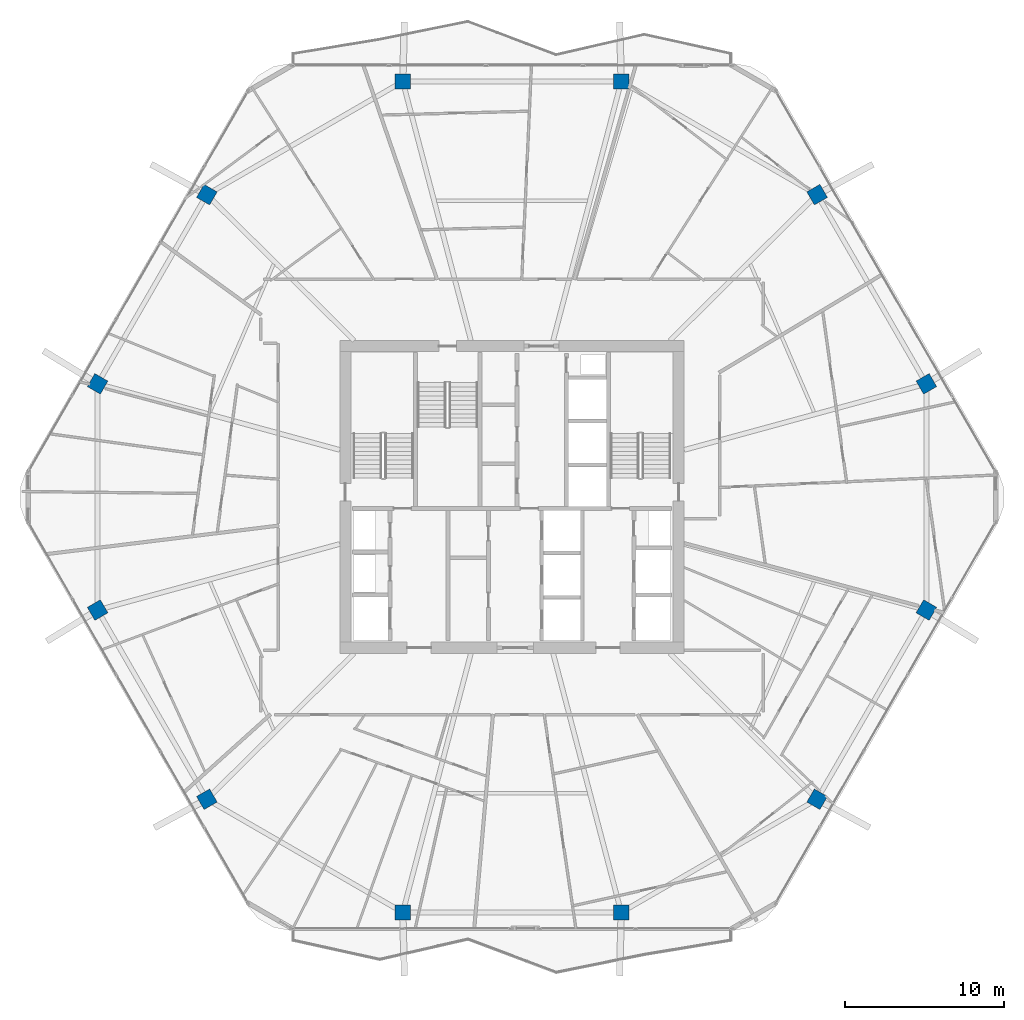
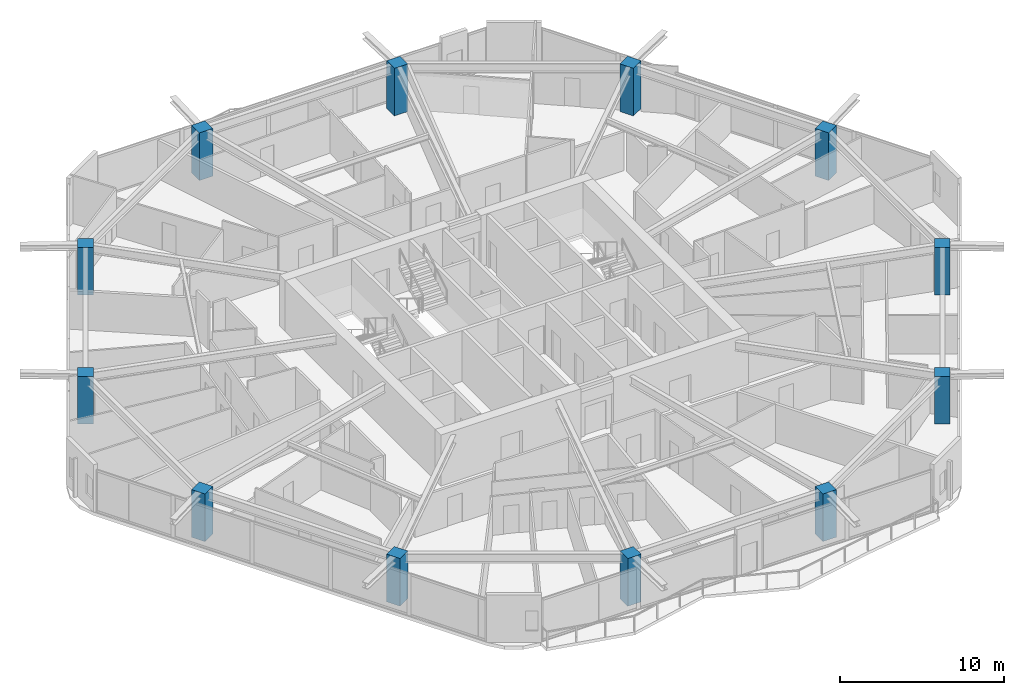
# One storey, part 1 of 25: 12 columns.
"""IFC4 building model written with IfcOpenShell, lengths in metres."""

from ifc_helpers import new_model, si_unit, direction, frame, origin, origin_2d, place, context, subcontext, project, spatial, rectangle, extrude, material, material_profile, profile_set, type_object, element, save


model = new_model("IFC4")

# Units and contexts
model_context = context("Model", 3, precision=1e-05, world=origin(), true_north=direction((0.0, 1.0)))
body_context = subcontext(model_context, "Body", "Model", "MODEL_VIEW")
ifc_project = project(units=[si_unit("LENGTHUNIT", "METRE"), si_unit("AREAUNIT", "SQUARE_METRE"), si_unit("VOLUMEUNIT", "CUBIC_METRE"), si_unit("PLANEANGLEUNIT", "RADIAN"), si_unit("MASSUNIT", "GRAM", prefix="KILO")], contexts=[model_context])

# Site, building, storey
site_placement = place(None, origin())
site = spatial("IfcSite", under=ifc_project, at=site_placement, CompositionType="ELEMENT")
building_placement = place(site_placement, origin())
building = spatial("IfcBuilding", under=site, at=building_placement, Name="Zuhravey Tower", CompositionType="ELEMENT")
storey_placement = place(building_placement, frame((0.0, 0.0, 196.0)))
storey = spatial("IfcBuildingStorey", under=building, at=storey_placement, Name="L49", CompositionType="ELEMENT", Elevation=196.0)

# Columns
ifc_material = material(Name="Concrete C50/60", Category="concrete")
ifc_material_profile = material_profile(ifc_material, rectangle(XDim=0.949951171875, YDim=0.949951171875, at=origin_2d()), Name="RC-950x950")
ifc_profile_set = profile_set([ifc_material_profile], Name="Concrete C50/60")
column_type = type_object("IfcColumnType", Name="Zone 2 Upper Column 950x950", PredefinedType="COLUMN", material=ifc_profile_set)
for number, where, z_axis, x_axis, name in (
    (1, (62.107666015625, 39.12646484375, 0.0), (0.0, 0.0, 1.0), (-0.5, 0.866025403784, 0.0), "L49 Perimeter Column PC01"),
    (2, (55.2255859375, 51.046630859375, 0.0), (0.0, 0.0, 1.0), (-0.5, 0.866025403784, 0.0), "L49 Perimeter Column PC02"),
    (3, (42.882080078125, 58.173095703125, 0.0), (0.0, 0.0, 1.0), (-1.0, 0.0, 0.0), "L49 Perimeter Column PC03"),
    (4, (29.117919921875, 58.173095703125, 0.0), (0.0, 0.0, 1.0), (-1.0, 0.0, 0.0), "L49 Perimeter Column PC04"),
    (5, (16.7744140625, 51.046630859375, 0.0), (0.0, 0.0, 1.0), (-0.5, -0.866025403784, 0.0), "L49 Perimeter Column PC05"),
    (6, (9.892333984375, 39.12646484375, 0.0), (0.0, 0.0, 1.0), (-0.5, -0.866025403784, 0.0), "L49 Perimeter Column PC06"),
    (7, (9.892333984375, 24.87353515625, 0.0), (0.0, 0.0, 1.0), (0.5, -0.866025403784, 0.0), "L49 Perimeter Column PC07"),
    (8, (16.7744140625, 12.953369140625, 0.0), (0.0, 0.0, 1.0), (0.5, -0.866025403784, 0.0), "L49 Perimeter Column PC08"),
    (9, (29.117919921875, 5.826904296875, 0.0), (0.0, 0.0, 1.0), (1.0, 0.0, 0.0), "L49 Perimeter Column PC09"),
    (10, (42.882080078125, 5.826904296875, 0.0), (0.0, 0.0, 1.0), (1.0, 0.0, 0.0), "L49 Perimeter Column PC10"),
    (11, (55.2255859375, 12.953369140625, 0.0), (0.0, 0.0, 1.0), (0.5, 0.866025403784, 0.0), "L49 Perimeter Column PC11"),
    (12, (62.107666015625, 24.87353515625, 0.0), (0.0, 0.0, 1.0), (0.5, 0.866025403784, 0.0), "L49 Perimeter Column PC12"),
):
    element("IfcColumn", number, at=place(storey_placement, frame(where, z_axis=z_axis, x_axis=x_axis)), inside=storey, type_object=column_type, Name=name, PredefinedType="COLUMN", context=body_context, shape_type="SweptSolid", body=[
        extrude(rectangle(XDim=0.949951171875, YDim=0.949951171875, at=origin_2d()), origin(), (0.0, 0.0, 1.0), 3.550048828125),
    ])

save(model, "model.ifc")
